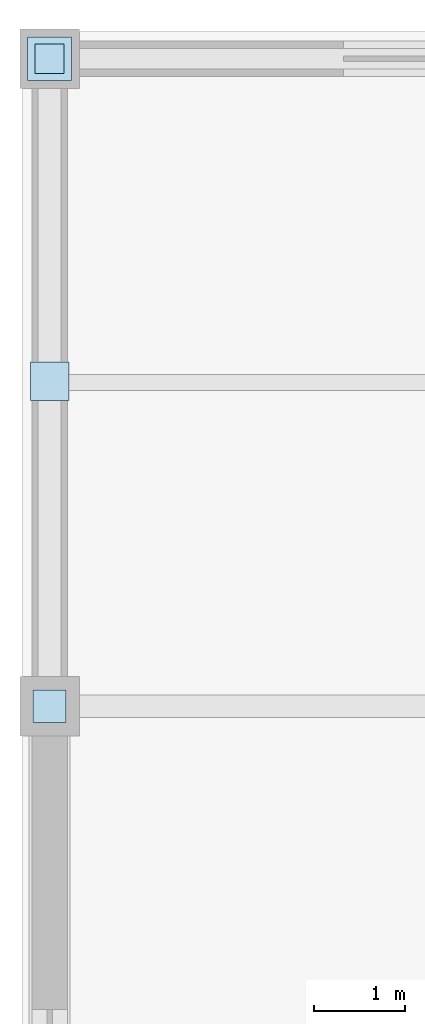
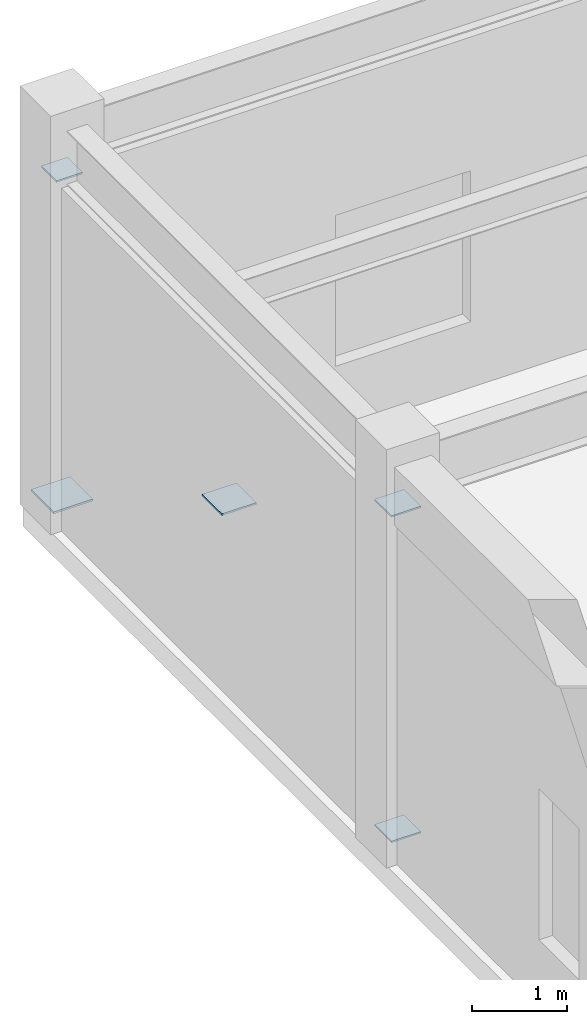
# One storey, part 48 of 93: 5 plates.
"""IFC4 building model written with IfcOpenShell, lengths in metres."""

from ifc_helpers import new_model, si_unit, direction, frame, origin, origin_2d, place, context, subcontext, project, spatial, rectangle, extrude, material, layer, layer_set, type_object, element, save


model = new_model("IFC4")

# Units and contexts
model_context = context("Model", 3, precision=1e-05, world=origin(), true_north=direction((0.0, 1.0)))
body_context = subcontext(model_context, "Body", "Model", "MODEL_VIEW")
ifc_project = project(units=[si_unit("LENGTHUNIT", "METRE"), si_unit("AREAUNIT", "SQUARE_METRE"), si_unit("VOLUMEUNIT", "CUBIC_METRE"), si_unit("PLANEANGLEUNIT", "RADIAN"), si_unit("MASSUNIT", "GRAM", prefix="KILO")], contexts=[model_context])

# Site, building, storey
site_placement = place(None, origin())
site = spatial("IfcSite", under=ifc_project, at=site_placement, CompositionType="ELEMENT")
building_placement = place(site_placement, origin())
building = spatial("IfcBuilding", under=site, at=building_placement, Name="Cinderbank Siding Concert Hall", CompositionType="ELEMENT")
storey_placement = place(building_placement, origin())
storey = spatial("IfcBuildingStorey", under=building, at=storey_placement, Name="L01", CompositionType="ELEMENT", Elevation=0.0)

# Plates
ifc_material = material(Name="Structural steel welded plate section AS/NZS 3679.2 / AS/NZS 3678 Grade 350 (340 MPa)", Category="steel")
ifc_layer_1 = layer(ifc_material, 0.02490234375)
ifc_layer_set_1 = layer_set([ifc_layer_1], Name="Structural steel welded plate section AS/NZS 3679.2 / AS/NZS 3678 Grade 350 (340 MPa)")
plate_type_1 = type_object("IfcPlateType", Name="GP-01 Steel Gusset Cap Plate 480x480x25", PredefinedType="SHEET", material=ifc_layer_set_1)
plate_1_placement = place(storey_placement, frame((7.10009765625, 117.89990234375, 0.1875), z_axis=(0.0, 0.0, 1.0), x_axis=(0.0, -1.0, 0.0)))
element("IfcPlate", 1, at=plate_1_placement, inside=storey, type_object=plate_type_1, Name="L01 Steel Node Gusset Plate GP-01 #1380", PredefinedType="SHEET", context=body_context, shape_type="SweptSolid", body=[
    extrude(rectangle(XDim=0.47998046875, YDim=0.47998046875, at=origin_2d()), origin(), (0.0, 0.0, 1.0), 0.02490234375),
])
ifc_layer_2 = layer(ifc_material, 0.02197265625)
ifc_layer_set_2 = layer_set([ifc_layer_2], Name="Structural steel welded plate section AS/NZS 3679.2 / AS/NZS 3678 Grade 350 (340 MPa)")
plate_type_2 = type_object("IfcPlateType", Name="GP-02 Steel Gusset Cap Plate 420x420x22", PredefinedType="SHEET", material=ifc_layer_set_2)
plate_2_placement = place(storey_placement, frame((7.10009765625, 114.36279296875, 2.281494140625), z_axis=(0.0, 0.0, 1.0), x_axis=(0.0, -1.0, 0.0)))
element("IfcPlate", 2, at=plate_2_placement, inside=storey, type_object=plate_type_2, Name="L01 Steel Node Gusset Plate GP-02 #1381", PredefinedType="SHEET", context=body_context, shape_type="SweptSolid", body=[
    extrude(rectangle(XDim=0.419921875, YDim=0.419921875, at=origin_2d()), origin(), (0.0, 0.0, 1.0), 0.02197265625),
])
ifc_layer_3 = layer(ifc_material, 0.02001953125)
ifc_layer_set_3 = layer_set([ifc_layer_3], Name="Structural steel welded plate section AS/NZS 3679.2 / AS/NZS 3678 Grade 350 (340 MPa)")
plate_type_3 = type_object("IfcPlateType", Name="GP-03 Steel Gusset Cap Plate 360x360x20", PredefinedType="SHEET", material=ifc_layer_set_3)
for number, where, z_axis, x_axis, name in (
    (3, (7.10009765625, 110.800048828125, 0.18994140625), (0.0, 0.0, 1.0), (0.0, 1.0, 0.0), "L01 Steel Node Gusset Plate GP-03 #1378"),
    (4, (7.10009765625, 110.800048828125, 4.389892578125), (0.0, 0.0, 1.0), (0.0, -1.0, 0.0), "L01 Steel Node Gusset Plate GP-03 #1382"),
):
    element("IfcPlate", number, at=place(storey_placement, frame(where, z_axis=z_axis, x_axis=x_axis)), inside=storey, type_object=plate_type_3, Name=name, PredefinedType="SHEET", context=body_context, shape_type="SweptSolid", body=[
        extrude(rectangle(XDim=0.360107421875, YDim=0.360107421875, at=origin_2d()), origin(), (0.0, 0.0, 1.0), 0.02001953125),
    ])
ifc_layer_4 = layer(ifc_material, 0.02099609375)
ifc_layer_set_4 = layer_set([ifc_layer_4], Name="Structural steel welded plate section AS/NZS 3679.2 / AS/NZS 3678 Grade 350 (340 MPa)")
plate_type_4 = type_object("IfcPlateType", Name="GP-04 Steel Gusset Cap Plate 320x320x21", PredefinedType="SHEET", material=ifc_layer_set_4)
plate_3_placement = place(storey_placement, frame((7.10009765625, 117.89990234375, 4.389404296875), z_axis=(0.0, 0.0, 1.0), x_axis=(0.0, 1.0, 0.0)))
element("IfcPlate", 5, at=plate_3_placement, inside=storey, type_object=plate_type_4, Name="L01 Steel Node Gusset Plate GP-04 #1379", PredefinedType="SHEET", context=body_context, shape_type="SweptSolid", body=[
    extrude(rectangle(XDim=0.320068359375, YDim=0.320068359375, at=origin_2d()), origin(), (0.0, 0.0, 1.0), 0.02099609375),
])

save(model, "model.ifc")
